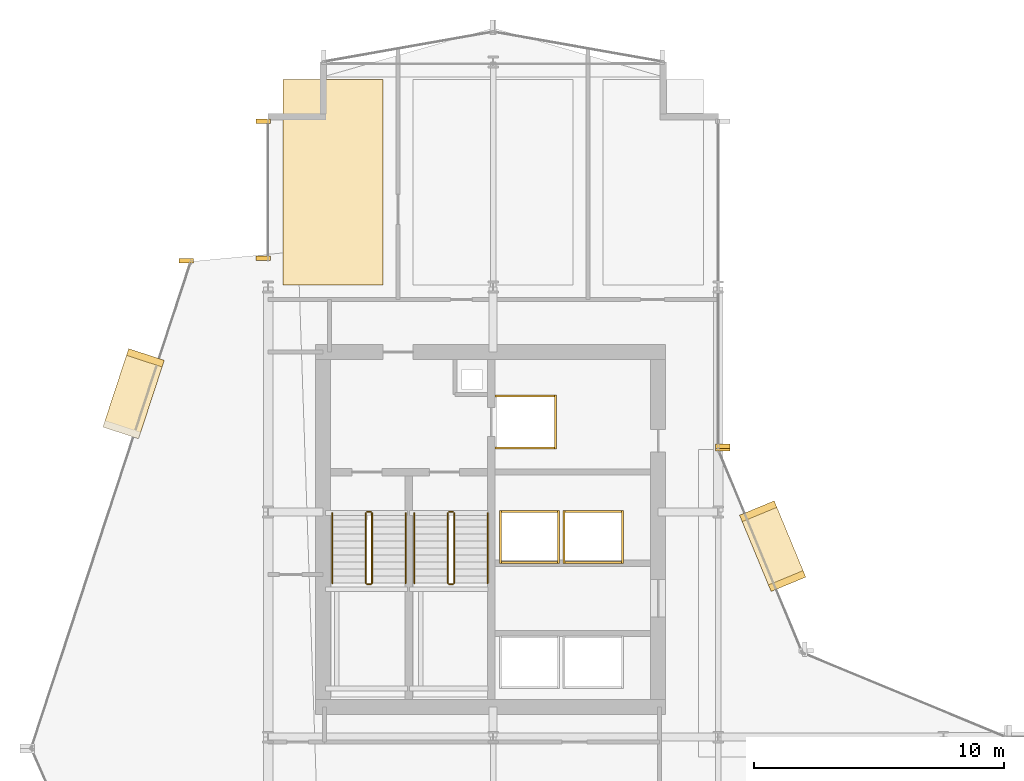
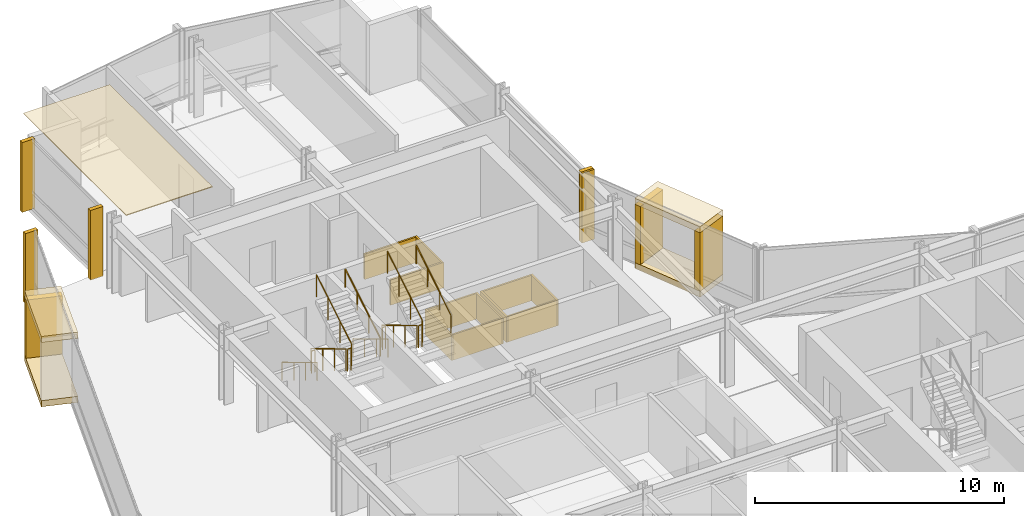
# One storey, part 33 of 34: 24 coverings, 12 railings.
"""IFC4 building model written with IfcOpenShell, lengths in metres."""

from ifc_helpers import new_model, si_unit, direction, frame, origin, origin_2d, place, context, subcontext, project, spatial, polyline, rectangle, circle, outline, extrude, material, layer, layer_set, type_object, element, save


model = new_model("IFC4")

# Units and contexts
model_context = context("Model", 3, precision=1e-05, world=origin(), true_north=direction((0.0, 1.0)))
body_context = subcontext(model_context, "Body", "Model", "MODEL_VIEW")
ifc_project = project(units=[si_unit("LENGTHUNIT", "METRE"), si_unit("AREAUNIT", "SQUARE_METRE"), si_unit("VOLUMEUNIT", "CUBIC_METRE"), si_unit("PLANEANGLEUNIT", "RADIAN"), si_unit("MASSUNIT", "GRAM", prefix="KILO")], contexts=[model_context])

# Site, building, storey
site_placement = place(None, origin())
site = spatial("IfcSite", under=ifc_project, at=site_placement, CompositionType="ELEMENT")
building_placement = place(site_placement, origin())
building = spatial("IfcBuilding", under=site, at=building_placement, Name="Solvaryn Broadcast Tower", CompositionType="ELEMENT")
storey_placement = place(building_placement, frame((0.0, 0.0, 73.0)))
storey = spatial("IfcBuildingStorey", under=building, at=storey_placement, Name="L17", CompositionType="ELEMENT", Elevation=73.0)

# Coverings
ifc_material_1 = material(Name="Micro-Perforated Acoustic Gypsum Ceiling", Category="concrete")
ifc_layer_1 = layer(ifc_material_1, 0.0400390625)
ifc_layer_set_1 = layer_set([ifc_layer_1], Name="CV-CEIL-ACOUSTIC")
covering_type_1 = type_object("IfcCoveringType", Name="CV-CEIL-ACOUSTIC", PredefinedType="CEILING", material=ifc_layer_set_1)
covering_1_placement = place(storey_placement, frame((0.0, 0.0, 3.3798828125)))
element("IfcCovering", 1, at=covering_1_placement, inside=storey, type_object=covering_type_1, Name="L17 Room Acoustic Ceiling 7", PredefinedType="CEILING", context=body_context, shape_type="SweptSolid", body=[
    extrude(outline(polyline([(9.60009765625, 45.070068359375), (13.60009765625, 45.070068359375), (13.60009765625, 53.300048828125), (9.60009765625, 53.300048828125), (9.60009765625, 45.070068359375)])), origin(), (0.0, 0.0, 1.0), 0.0400390625),
])
ifc_material_2 = material(Name="Fire-Rated Gypsum Shaftwall Liner", Category="concrete")
ifc_layer_2 = layer(ifc_material_2, 0.080078125)
ifc_layer_set_2 = layer_set([ifc_layer_2], Name="CV-SHAFT-LINER")
covering_type_2 = type_object("IfcCoveringType", Name="CV-SHAFT-LINER", PredefinedType="CLADDING", material=ifc_layer_set_2)
for number, where, z_axis, x_axis, name in (
    (2, (19.300048828125, 40.639892578125, 0.0), (0.0, 0.0, 1.0), (1.0, 0.0, 0.0), "L17 FL1 Hoistway Shaft Liner North"),
    (3, (19.300048828125, 38.56005859375, 0.0), (0.0, 0.0, 1.0), (1.0, 0.0, 0.0), "L17 FL1 Hoistway Shaft Liner South"),
):
    element("IfcCovering", number, at=place(storey_placement, frame(where, z_axis=z_axis, x_axis=x_axis)), inside=storey, type_object=covering_type_2, Name=name, PredefinedType="CLADDING", context=body_context, shape_type="SweptSolid", body=[
        extrude(rectangle(XDim=2.4599609375, YDim=0.080078125, at=origin_2d()), origin(), (0.0, 0.0, 1.0), 1.25),
    ])
covering_2_placement = place(storey_placement, frame((20.489990234375, 39.60009765625, 0.0), z_axis=(0.0, 0.0, 1.0), x_axis=(1.0, 0.0, 0.0)))
element("IfcCovering", 4, at=covering_2_placement, inside=storey, type_object=covering_type_2, Name="L17 FL1 Hoistway Shaft Liner East", PredefinedType="CLADDING", context=body_context, shape_type="SweptSolid", body=[
    extrude(rectangle(XDim=0.080078125, YDim=2.159912109375, at=origin_2d()), origin(), (0.0, 0.0, 1.0), 1.25),
])
for number, where, z_axis, x_axis, name in (
    (5, (19.449951171875, 36.014892578125, 0.0), (0.0, 0.0, 1.0), (1.0, 0.0, 0.0), "L17 PH3 Hoistway Shaft Liner North"),
    (6, (19.449951171875, 33.985107421875, 0.0), (0.0, 0.0, 1.0), (1.0, 0.0, 0.0), "L17 PH3 Hoistway Shaft Liner South"),
):
    element("IfcCovering", number, at=place(storey_placement, frame(where, z_axis=z_axis, x_axis=x_axis)), inside=storey, type_object=covering_type_2, Name=name, PredefinedType="CLADDING", context=body_context, shape_type="SweptSolid", body=[
        extrude(rectangle(XDim=2.409912109375, YDim=0.080078125, at=origin_2d()), origin(), (0.0, 0.0, 1.0), 1.25),
    ])
for number, where, z_axis, x_axis, name in (
    (7, (20.614990234375, 35.0, 0.0), (0.0, 0.0, 1.0), (1.0, 0.0, 0.0), "L17 PH3 Hoistway Shaft Liner East"),
    (8, (18.284912109375, 35.0, 0.0), (0.0, 0.0, 1.0), (1.0, 0.0, 0.0), "L17 PH3 Hoistway Shaft Liner West"),
):
    element("IfcCovering", number, at=place(storey_placement, frame(where, z_axis=z_axis, x_axis=x_axis)), inside=storey, type_object=covering_type_2, Name=name, PredefinedType="CLADDING", context=body_context, shape_type="SweptSolid", body=[
        extrude(rectangle(XDim=0.080078125, YDim=2.110107421875, at=origin_2d()), origin(), (0.0, 0.0, 1.0), 1.25),
    ])
for number, where, z_axis, x_axis, name in (
    (9, (22.0, 36.014892578125, 0.0), (0.0, 0.0, 1.0), (1.0, 0.0, 0.0), "L17 PH4 Hoistway Shaft Liner North"),
    (10, (22.0, 33.985107421875, 0.0), (0.0, 0.0, 1.0), (1.0, 0.0, 0.0), "L17 PH4 Hoistway Shaft Liner South"),
):
    element("IfcCovering", number, at=place(storey_placement, frame(where, z_axis=z_axis, x_axis=x_axis)), inside=storey, type_object=covering_type_2, Name=name, PredefinedType="CLADDING", context=body_context, shape_type="SweptSolid", body=[
        extrude(rectangle(XDim=2.409912109375, YDim=0.080078125, at=origin_2d()), origin(), (0.0, 0.0, 1.0), 1.25),
    ])
for number, where, z_axis, x_axis, name in (
    (11, (23.1650390625, 35.0, 0.0), (0.0, 0.0, 1.0), (1.0, 0.0, 0.0), "L17 PH4 Hoistway Shaft Liner East"),
    (12, (20.8349609375, 35.0, 0.0), (0.0, 0.0, 1.0), (1.0, 0.0, 0.0), "L17 PH4 Hoistway Shaft Liner West"),
):
    element("IfcCovering", number, at=place(storey_placement, frame(where, z_axis=z_axis, x_axis=x_axis)), inside=storey, type_object=covering_type_2, Name=name, PredefinedType="CLADDING", context=body_context, shape_type="SweptSolid", body=[
        extrude(rectangle(XDim=0.080078125, YDim=2.110107421875, at=origin_2d()), origin(), (0.0, 0.0, 1.0), 1.25),
    ])
ifc_material_3 = material(Name="Glazed Architectural Terracotta Rainscreen Cladding", Category="masonry")
ifc_layer_3 = layer(ifc_material_3, 0.280029296875)
ifc_layer_set_3 = layer_set([ifc_layer_3], Name="CV-TC-CLAD")
covering_type_3 = type_object("IfcCoveringType", Name="CV-TC-CLAD", PredefinedType="CLADDING", material=ifc_layer_set_3)
for number, where, z_axis, x_axis, name in (
    (13, (3.6259765625, 40.73291015625, 3.1298828125), (0.0, 0.0, 1.0), (-0.311671636848, -0.950189870912, 0.0), "L17 Projecting Stone Window Box Hood 1"),
    (14, (3.6259765625, 40.73291015625, -0.01025390625), (0.0, 0.0, 1.0), (-0.311671636848, -0.950189870912, 0.0), "L17 Projecting Stone Window Box Sill 1"),
):
    element("IfcCovering", number, at=place(storey_placement, frame(where, z_axis=z_axis, x_axis=x_axis)), inside=storey, type_object=covering_type_3, Name=name, PredefinedType="CLADDING", context=body_context, shape_type="SweptSolid", body=[
        extrude(rectangle(XDim=3.300048828125, YDim=1.5, at=origin_2d()), origin(), (0.0, 0.0, 1.0), 0.300048828125),
    ])
covering_3_placement = place(storey_placement, frame((4.0966796875, 42.167724609375, 0.27978515625), z_axis=(0.0, 0.0, 1.0), x_axis=(-0.311671636848, -0.950189870912, 0.0)))
element("IfcCovering", 15, at=covering_3_placement, inside=storey, type_object=covering_type_3, Name="L17 Projecting Stone Window Box Cheek 1-1", PredefinedType="CLADDING", context=body_context, shape_type="SweptSolid", body=[
    extrude(rectangle(XDim=0.280029296875, YDim=1.5, at=origin_2d()), origin(), (0.0, 0.0, 1.0), 2.860107421875),
])
for number, where, z_axis, x_axis, name in (
    (16, (29.174072265625, 34.636962890625, 3.1298828125), (0.0, 0.0, 1.0), (-0.382683432365, 0.923879532511, 0.0), "L17 Projecting Stone Window Box Hood 5"),
    (17, (29.174072265625, 34.636962890625, -0.01025390625), (0.0, 0.0, 1.0), (-0.382683432365, 0.923879532511, 0.0), "L17 Projecting Stone Window Box Sill 5"),
):
    element("IfcCovering", number, at=place(storey_placement, frame(where, z_axis=z_axis, x_axis=x_axis)), inside=storey, type_object=covering_type_3, Name=name, PredefinedType="CLADDING", context=body_context, shape_type="SweptSolid", body=[
        extrude(rectangle(XDim=3.300048828125, YDim=1.5, at=origin_2d()), origin(), (0.0, 0.0, 1.0), 0.300048828125),
    ])
for number, where, z_axis, x_axis, name in (
    (18, (29.751953125, 33.241943359375, 0.27978515625), (0.0, 0.0, 1.0), (-0.382683432365, 0.923879532511, 0.0), "L17 Projecting Stone Window Box Cheek 5-1"),
    (19, (28.59619140625, 36.031982421875, 0.27978515625), (0.0, 0.0, 1.0), (-0.382683432365, 0.923879532511, 0.0), "L17 Projecting Stone Window Box Cheek 5-2"),
):
    element("IfcCovering", number, at=place(storey_placement, frame(where, z_axis=z_axis, x_axis=x_axis)), inside=storey, type_object=covering_type_3, Name=name, PredefinedType="CLADDING", context=body_context, shape_type="SweptSolid", body=[
        extrude(rectangle(XDim=0.280029296875, YDim=1.5, at=origin_2d()), origin(), (0.0, 0.0, 1.0), 2.860107421875),
    ])
ifc_material_4 = material(Name="Extruded Architectural Terracotta Fin", Category="masonry")
ifc_layer_4 = layer(ifc_material_4, 0.179931640625)
ifc_layer_set_4 = layer_set([ifc_layer_4], Name="CV-TC-FIN")
covering_type_4 = type_object("IfcCoveringType", Name="CV-TC-FIN", PredefinedType="USERDEFINED", material=ifc_layer_set_4)
for number, where, z_axis, x_axis, name in (
    (20, (5.735595703125, 46.043701171875, 0.0), (0.0, 0.0, 1.0), (1.0, 0.0, 0.0), "L17 Terracotta Vertical Fin FIN-L17-DR1-M00"),
    (21, (8.8125, 46.14599609375, 0.0), (0.0, 0.0, 1.0), (1.0, 0.0, 0.0), "L17 Terracotta Vertical Fin FIN-L17-W2-M00"),
    (22, (8.8125, 51.6201171875, 0.0), (0.0, 0.0, 1.0), (1.0, 0.0, 0.0), "L17 Terracotta Vertical Fin FIN-L17-W2-M01"),
    (23, (27.1875, 38.6298828125, 0.0), (0.0, 0.0, 1.0), (1.0, 0.0, 0.0), "L17 Terracotta Vertical Fin FIN-L17-IV-M01"),
    (24, (27.177978515625, 38.541259765625, 0.0), (0.0, 0.0, 1.0), (1.0, 0.0, 0.0), "L17 Terracotta Vertical Fin FIN-L17-CN2-M01"),
):
    element("IfcCovering", number, at=place(storey_placement, frame(where, z_axis=z_axis, x_axis=x_axis)), inside=storey, type_object=covering_type_4, Name=name, ObjectType="FIN", PredefinedType="USERDEFINED", context=body_context, shape_type="SweptSolid", body=[
        extrude(rectangle(XDim=0.580078125, YDim=0.179931640625, at=origin_2d()), origin(), (0.0, 0.0, 1.0), 3.419921875),
    ])

# Railings
ifc_material_5 = material(Name="Painted Steel Stair Well Guard", Category="steel")
railing_type_1 = type_object("IfcRailingType", Name="RL-STAIR-GUARD", PredefinedType="BALUSTRADE", material=ifc_material_5)
railing_1_placement = place(storey_placement, frame((12.909912109375, 35.9599609375, 0.168212890625)))
element("IfcRailing", 25, at=railing_1_placement, inside=storey, type_object=railing_type_1, Name="L17 ST1 stair guard 1", PredefinedType="BALUSTRADE", context=body_context, shape_type="SweptSolid", body=[
    extrude(circle(Radius=0.02392578125, at=origin_2d()), frame((0.0, 0.0, 1.076171875), z_axis=(0.0, -0.857242210791, 0.514913383045), x_axis=(1.0, 0.0, 0.0)), (0.0, 0.0, 1.0), 3.266357421875),
    extrude(circle(Radius=0.02099609375, at=origin_2d()), origin(), (0.0, 0.0, 1.0), 1.052001953125),
    extrude(circle(Radius=0.02099609375, at=origin_2d()), frame((0.0, -0.933349609375, 0.560546875)), (0.0, 0.0, 1.0), 1.052001953125),
    extrude(circle(Radius=0.02099609375, at=origin_2d()), frame((0.0, -1.86669921875, 1.121337890625)), (0.0, 0.0, 1.0), 1.052001953125),
    extrude(circle(Radius=0.02099609375, at=origin_2d()), frame((0.0, -2.800048828125, 1.681884765625)), (0.0, 0.0, 1.0), 1.052001953125),
])
railing_2_placement = place(storey_placement, frame((12.9599609375, 33.110107421875, 1.85009765625)))
element("IfcRailing", 26, at=railing_2_placement, inside=storey, type_object=railing_type_1, Name="L17 ST1 stair guard 2", PredefinedType="BALUSTRADE", context=body_context, shape_type="SweptSolid", body=[
    extrude(circle(Radius=0.02392578125, at=origin_2d()), frame((0.0, 0.0, 1.076171875), z_axis=(1.0, 0.0, 0.0), x_axis=(0.0, 1.0, 0.0)), (0.0, 0.0, 1.0), 0.150146484375),
    extrude(circle(Radius=0.02099609375, at=origin_2d()), origin(), (0.0, 0.0, 1.0), 1.052001953125),
    extrude(circle(Radius=0.02099609375, at=origin_2d()), frame((0.150146484375, 0.0, 0.0)), (0.0, 0.0, 1.0), 1.052001953125),
])
railing_3_placement = place(storey_placement, frame((13.159912109375, 33.159912109375, 2.01806640625)))
element("IfcRailing", 27, at=railing_3_placement, inside=storey, type_object=railing_type_1, Name="L17 ST1 stair guard 3", PredefinedType="BALUSTRADE", context=body_context, shape_type="SweptSolid", body=[
    extrude(circle(Radius=0.02392578125, at=origin_2d()), frame((0.0, 0.0, 1.076171875), z_axis=(0.0, 0.857242210791, 0.514913383045), x_axis=(-1.0, 0.0, 0.0)), (0.0, 0.0, 1.0), 3.266357421875),
    extrude(circle(Radius=0.02099609375, at=origin_2d()), origin(), (0.0, 0.0, 1.0), 1.052001953125),
    extrude(circle(Radius=0.02099609375, at=origin_2d()), frame((0.0, 0.933349609375, 0.560546875)), (0.0, 0.0, 1.0), 1.052001953125),
    extrude(circle(Radius=0.02099609375, at=origin_2d()), frame((0.0, 1.86669921875, 1.121337890625)), (0.0, 0.0, 1.0), 1.052001953125),
    extrude(circle(Radius=0.02099609375, at=origin_2d()), frame((0.0, 2.800048828125, 1.681884765625)), (0.0, 0.0, 1.0), 1.052001953125),
])
railing_4_placement = place(storey_placement, frame((12.9599609375, 36.010009765625, 0.0)))
element("IfcRailing", 28, at=railing_4_placement, inside=storey, type_object=railing_type_1, Name="L17 ST1 stair guard 4", PredefinedType="BALUSTRADE", context=body_context, shape_type="SweptSolid", body=[
    extrude(circle(Radius=0.02392578125, at=origin_2d()), frame((0.0, 0.0, 1.076171875), z_axis=(1.0, 0.0, 0.0), x_axis=(0.0, 1.0, 0.0)), (0.0, 0.0, 1.0), 0.150146484375),
    extrude(circle(Radius=0.02099609375, at=origin_2d()), origin(), (0.0, 0.0, 1.0), 1.052001953125),
    extrude(circle(Radius=0.02099609375, at=origin_2d()), frame((0.150146484375, 0.0, 0.0)), (0.0, 0.0, 1.0), 1.052001953125),
])
railing_5_placement = place(storey_placement, frame((16.18994140625, 35.9599609375, 0.168212890625)))
element("IfcRailing", 29, at=railing_5_placement, inside=storey, type_object=railing_type_1, Name="L17 ST2 stair guard 1", PredefinedType="BALUSTRADE", context=body_context, shape_type="SweptSolid", body=[
    extrude(circle(Radius=0.02392578125, at=origin_2d()), frame((0.0, 0.0, 1.076171875), z_axis=(0.0, -0.857242210791, 0.514913383045), x_axis=(1.0, 0.0, 0.0)), (0.0, 0.0, 1.0), 3.266357421875),
    extrude(circle(Radius=0.02099609375, at=origin_2d()), origin(), (0.0, 0.0, 1.0), 1.052001953125),
    extrude(circle(Radius=0.02099609375, at=origin_2d()), frame((0.0, -0.933349609375, 0.560546875)), (0.0, 0.0, 1.0), 1.052001953125),
    extrude(circle(Radius=0.02099609375, at=origin_2d()), frame((0.0, -1.86669921875, 1.121337890625)), (0.0, 0.0, 1.0), 1.052001953125),
    extrude(circle(Radius=0.02099609375, at=origin_2d()), frame((0.0, -2.800048828125, 1.681884765625)), (0.0, 0.0, 1.0), 1.052001953125),
])
railing_6_placement = place(storey_placement, frame((16.239990234375, 33.110107421875, 1.85009765625)))
element("IfcRailing", 30, at=railing_6_placement, inside=storey, type_object=railing_type_1, Name="L17 ST2 stair guard 2", PredefinedType="BALUSTRADE", context=body_context, shape_type="SweptSolid", body=[
    extrude(circle(Radius=0.02392578125, at=origin_2d()), frame((0.0, 0.0, 1.076171875), z_axis=(1.0, 0.0, 0.0), x_axis=(0.0, 1.0, 0.0)), (0.0, 0.0, 1.0), 0.14990234375),
    extrude(circle(Radius=0.02099609375, at=origin_2d()), origin(), (0.0, 0.0, 1.0), 1.052001953125),
    extrude(circle(Radius=0.02099609375, at=origin_2d()), frame((0.14990234375, 0.0, 0.0)), (0.0, 0.0, 1.0), 1.052001953125),
])
railing_7_placement = place(storey_placement, frame((16.43994140625, 33.159912109375, 2.01806640625)))
element("IfcRailing", 31, at=railing_7_placement, inside=storey, type_object=railing_type_1, Name="L17 ST2 stair guard 3", PredefinedType="BALUSTRADE", context=body_context, shape_type="SweptSolid", body=[
    extrude(circle(Radius=0.02392578125, at=origin_2d()), frame((0.0, 0.0, 1.076171875), z_axis=(0.0, 0.857242210791, 0.514913383045), x_axis=(-1.0, 0.0, 0.0)), (0.0, 0.0, 1.0), 3.266357421875),
    extrude(circle(Radius=0.02099609375, at=origin_2d()), origin(), (0.0, 0.0, 1.0), 1.052001953125),
    extrude(circle(Radius=0.02099609375, at=origin_2d()), frame((0.0, 0.933349609375, 0.560546875)), (0.0, 0.0, 1.0), 1.052001953125),
    extrude(circle(Radius=0.02099609375, at=origin_2d()), frame((0.0, 1.86669921875, 1.121337890625)), (0.0, 0.0, 1.0), 1.052001953125),
    extrude(circle(Radius=0.02099609375, at=origin_2d()), frame((0.0, 2.800048828125, 1.681884765625)), (0.0, 0.0, 1.0), 1.052001953125),
])
railing_8_placement = place(storey_placement, frame((16.239990234375, 36.010009765625, 0.0)))
element("IfcRailing", 32, at=railing_8_placement, inside=storey, type_object=railing_type_1, Name="L17 ST2 stair guard 4", PredefinedType="BALUSTRADE", context=body_context, shape_type="SweptSolid", body=[
    extrude(circle(Radius=0.02392578125, at=origin_2d()), frame((0.0, 0.0, 1.076171875), z_axis=(1.0, 0.0, 0.0), x_axis=(0.0, 1.0, 0.0)), (0.0, 0.0, 1.0), 0.14990234375),
    extrude(circle(Radius=0.02099609375, at=origin_2d()), origin(), (0.0, 0.0, 1.0), 1.052001953125),
    extrude(circle(Radius=0.02099609375, at=origin_2d()), frame((0.14990234375, 0.0, 0.0)), (0.0, 0.0, 1.0), 1.052001953125),
])
ifc_material_6 = material(Name="Brushed Stainless Steel Tubular Handrail", Category="steel")
railing_type_2 = type_object("IfcRailingType", Name="RL-STAIR-HANDRAIL", PredefinedType="HANDRAIL", material=ifc_material_6)
railing_9_placement = place(storey_placement, frame((11.570068359375, 35.9599609375, 0.168212890625)))
element("IfcRailing", 33, at=railing_9_placement, inside=storey, type_object=railing_type_2, Name="L17 ST1 stair handrail 1", PredefinedType="HANDRAIL", context=body_context, shape_type="SweptSolid", body=[
    extrude(circle(Radius=0.02392578125, at=origin_2d()), frame((0.0, 0.0, 0.8759765625), z_axis=(0.0, -0.857242210791, 0.514913383045), x_axis=(1.0, 0.0, 0.0)), (0.0, 0.0, 1.0), 3.266357421875),
    extrude(circle(Radius=0.02099609375, at=origin_2d()), origin(), (0.0, 0.0, 1.0), 0.851806640625),
    extrude(circle(Radius=0.02099609375, at=origin_2d()), frame((0.0, -0.933349609375, 0.560546875)), (0.0, 0.0, 1.0), 0.851806640625),
    extrude(circle(Radius=0.02099609375, at=origin_2d()), frame((0.0, -1.86669921875, 1.121337890625)), (0.0, 0.0, 1.0), 0.851806640625),
    extrude(circle(Radius=0.02099609375, at=origin_2d()), frame((0.0, -2.800048828125, 1.681884765625)), (0.0, 0.0, 1.0), 0.851806640625),
])
railing_10_placement = place(storey_placement, frame((14.5, 33.159912109375, 2.01806640625)))
element("IfcRailing", 34, at=railing_10_placement, inside=storey, type_object=railing_type_2, Name="L17 ST1 stair handrail 2", PredefinedType="HANDRAIL", context=body_context, shape_type="SweptSolid", body=[
    extrude(circle(Radius=0.02392578125, at=origin_2d()), frame((0.0, 0.0, 0.8759765625), z_axis=(0.0, 0.857242210791, 0.514913383045), x_axis=(-1.0, 0.0, 0.0)), (0.0, 0.0, 1.0), 3.266357421875),
    extrude(circle(Radius=0.02099609375, at=origin_2d()), origin(), (0.0, 0.0, 1.0), 0.851806640625),
    extrude(circle(Radius=0.02099609375, at=origin_2d()), frame((0.0, 0.933349609375, 0.560546875)), (0.0, 0.0, 1.0), 0.851806640625),
    extrude(circle(Radius=0.02099609375, at=origin_2d()), frame((0.0, 1.86669921875, 1.121337890625)), (0.0, 0.0, 1.0), 0.851806640625),
    extrude(circle(Radius=0.02099609375, at=origin_2d()), frame((0.0, 2.800048828125, 1.681884765625)), (0.0, 0.0, 1.0), 0.851806640625),
])
railing_11_placement = place(storey_placement, frame((14.85009765625, 35.9599609375, 0.168212890625)))
element("IfcRailing", 35, at=railing_11_placement, inside=storey, type_object=railing_type_2, Name="L17 ST2 stair handrail 1", PredefinedType="HANDRAIL", context=body_context, shape_type="SweptSolid", body=[
    extrude(circle(Radius=0.02392578125, at=origin_2d()), frame((0.0, 0.0, 0.8759765625), z_axis=(0.0, -0.857242210791, 0.514913383045), x_axis=(1.0, 0.0, 0.0)), (0.0, 0.0, 1.0), 3.266357421875),
    extrude(circle(Radius=0.02099609375, at=origin_2d()), origin(), (0.0, 0.0, 1.0), 0.851806640625),
    extrude(circle(Radius=0.02099609375, at=origin_2d()), frame((0.0, -0.933349609375, 0.560546875)), (0.0, 0.0, 1.0), 0.851806640625),
    extrude(circle(Radius=0.02099609375, at=origin_2d()), frame((0.0, -1.86669921875, 1.121337890625)), (0.0, 0.0, 1.0), 0.851806640625),
    extrude(circle(Radius=0.02099609375, at=origin_2d()), frame((0.0, -2.800048828125, 1.681884765625)), (0.0, 0.0, 1.0), 0.851806640625),
])
railing_12_placement = place(storey_placement, frame((17.780029296875, 33.159912109375, 2.01806640625)))
element("IfcRailing", 36, at=railing_12_placement, inside=storey, type_object=railing_type_2, Name="L17 ST2 stair handrail 2", PredefinedType="HANDRAIL", context=body_context, shape_type="SweptSolid", body=[
    extrude(circle(Radius=0.02392578125, at=origin_2d()), frame((0.0, 0.0, 0.8759765625), z_axis=(0.0, 0.857242210791, 0.514913383045), x_axis=(-1.0, 0.0, 0.0)), (0.0, 0.0, 1.0), 3.266357421875),
    extrude(circle(Radius=0.02099609375, at=origin_2d()), origin(), (0.0, 0.0, 1.0), 0.851806640625),
    extrude(circle(Radius=0.02099609375, at=origin_2d()), frame((0.0, 0.933349609375, 0.560546875)), (0.0, 0.0, 1.0), 0.851806640625),
    extrude(circle(Radius=0.02099609375, at=origin_2d()), frame((0.0, 1.86669921875, 1.121337890625)), (0.0, 0.0, 1.0), 0.851806640625),
    extrude(circle(Radius=0.02099609375, at=origin_2d()), frame((0.0, 2.800048828125, 1.681884765625)), (0.0, 0.0, 1.0), 0.851806640625),
])

save(model, "model.ifc")
